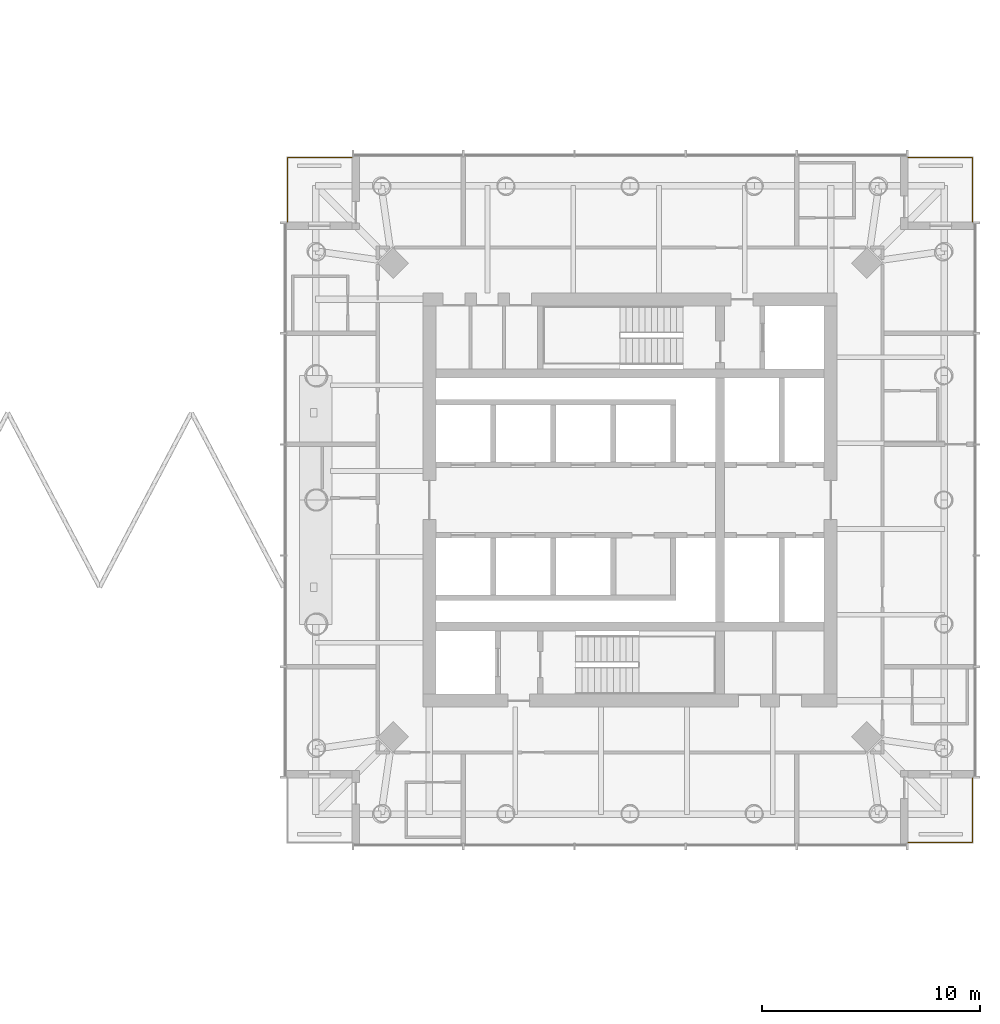
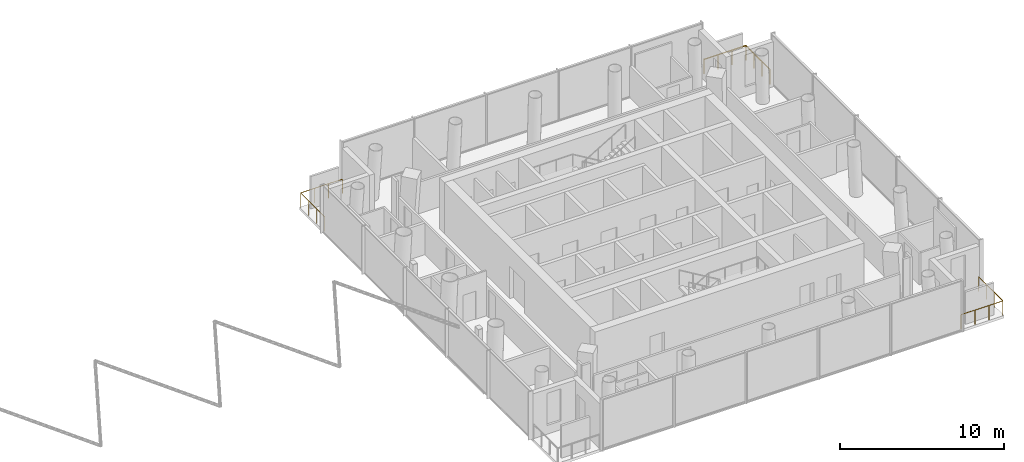
# One storey, part 19 of 19: 3 railings.
"""IFC4 building model written with IfcOpenShell, lengths in metres."""

from ifc_helpers import new_model, si_unit, direction, frame, origin, origin_2d, place, context, subcontext, project, spatial, circle, extrude, material, type_object, element, save


model = new_model("IFC4")

# Units and contexts
model_context = context("Model", 3, precision=1e-05, world=origin(), true_north=direction((0.0, 1.0)))
body_context = subcontext(model_context, "Body", "Model", "MODEL_VIEW")
ifc_project = project(units=[si_unit("LENGTHUNIT", "METRE"), si_unit("AREAUNIT", "SQUARE_METRE"), si_unit("VOLUMEUNIT", "CUBIC_METRE"), si_unit("PLANEANGLEUNIT", "RADIAN"), si_unit("MASSUNIT", "GRAM", prefix="KILO")], contexts=[model_context])

# Site, building, storey
site_placement = place(None, origin())
site = spatial("IfcSite", under=ifc_project, at=site_placement, CompositionType="ELEMENT")
building_placement = place(site_placement, origin())
building = spatial("IfcBuilding", under=site, at=building_placement, Name="Ostroluk Exchange", CompositionType="ELEMENT")
storey_placement = place(building_placement, frame((0.0, 0.0, 127.39990234375)))
storey = spatial("IfcBuildingStorey", under=building, at=storey_placement, Name="L32", CompositionType="ELEMENT", Elevation=127.39990234375)

# Railings
ifc_material = material(Name="Stainless steel", Category="steel")
railing_type = type_object("IfcRailingType", Name="Guard 1100 stainless steel", PredefinedType="GUARDRAIL", material=ifc_material)
railing_1_placement = place(storey_placement, frame((129.75, 30.300048828125, 0.0)))
element("IfcRailing", 1, at=railing_1_placement, inside=storey, type_object=railing_type, Name="Hotel tower SE balcony guard L32", PredefinedType="GUARDRAIL", context=body_context, shape_type="SweptSolid", body=[
    extrude(circle(Radius=0.02392578125, at=origin_2d()), frame((0.0, 0.0, 1.076171875), z_axis=(1.0, 0.0, 0.0), x_axis=(0.0, 1.0, 0.0)), (0.0, 0.0, 1.0), 2.949951171875),
    extrude(circle(Radius=0.02392578125, at=origin_2d()), frame((2.949951171875, 0.0, 1.076171875), z_axis=(0.0, 1.0, 0.0), x_axis=(-1.0, 0.0, 0.0)), (0.0, 0.0, 1.0), 2.949951171875),
    extrude(circle(Radius=0.02099609375, at=origin_2d()), origin(), (0.0, 0.0, 1.0), 1.052001953125),
    extrude(circle(Radius=0.02099609375, at=origin_2d()), frame((0.9833984375, 0.0, 0.0)), (0.0, 0.0, 1.0), 1.052001953125),
    extrude(circle(Radius=0.02099609375, at=origin_2d()), frame((1.966552734375, 0.0, 0.0)), (0.0, 0.0, 1.0), 1.052001953125),
    extrude(circle(Radius=0.02099609375, at=origin_2d()), frame((2.949951171875, 0.0, 0.0)), (0.0, 0.0, 1.0), 1.052001953125),
    extrude(circle(Radius=0.02099609375, at=origin_2d()), frame((2.949951171875, 0.9833984375, 0.0)), (0.0, 0.0, 1.0), 1.052001953125),
    extrude(circle(Radius=0.02099609375, at=origin_2d()), frame((2.949951171875, 1.966552734375, 0.0)), (0.0, 0.0, 1.0), 1.052001953125),
    extrude(circle(Radius=0.02099609375, at=origin_2d()), frame((2.949951171875, 2.949951171875, 0.0)), (0.0, 0.0, 1.0), 1.052001953125),
])
railing_2_placement = place(storey_placement, frame((129.75, 61.699951171875, 0.0)))
element("IfcRailing", 2, at=railing_2_placement, inside=storey, type_object=railing_type, Name="Hotel tower NE balcony guard L32", PredefinedType="GUARDRAIL", context=body_context, shape_type="SweptSolid", body=[
    extrude(circle(Radius=0.02392578125, at=origin_2d()), frame((0.0, 0.0, 1.076171875), z_axis=(1.0, 0.0, 0.0), x_axis=(0.0, 1.0, 0.0)), (0.0, 0.0, 1.0), 2.949951171875),
    extrude(circle(Radius=0.02392578125, at=origin_2d()), frame((2.949951171875, 0.0, 1.076171875), z_axis=(0.0, -1.0, 0.0), x_axis=(1.0, 0.0, 0.0)), (0.0, 0.0, 1.0), 2.949951171875),
    extrude(circle(Radius=0.02099609375, at=origin_2d()), origin(), (0.0, 0.0, 1.0), 1.052001953125),
    extrude(circle(Radius=0.02099609375, at=origin_2d()), frame((0.9833984375, 0.0, 0.0)), (0.0, 0.0, 1.0), 1.052001953125),
    extrude(circle(Radius=0.02099609375, at=origin_2d()), frame((1.966552734375, 0.0, 0.0)), (0.0, 0.0, 1.0), 1.052001953125),
    extrude(circle(Radius=0.02099609375, at=origin_2d()), frame((2.949951171875, 0.0, 0.0)), (0.0, 0.0, 1.0), 1.052001953125),
    extrude(circle(Radius=0.02099609375, at=origin_2d()), frame((2.949951171875, -0.9833984375, 0.0)), (0.0, 0.0, 1.0), 1.052001953125),
    extrude(circle(Radius=0.02099609375, at=origin_2d()), frame((2.949951171875, -1.966552734375, 0.0)), (0.0, 0.0, 1.0), 1.052001953125),
    extrude(circle(Radius=0.02099609375, at=origin_2d()), frame((2.949951171875, -2.949951171875, 0.0)), (0.0, 0.0, 1.0), 1.052001953125),
])
railing_3_placement = place(storey_placement, frame((104.25, 61.699951171875, 0.0)))
element("IfcRailing", 3, at=railing_3_placement, inside=storey, type_object=railing_type, Name="Hotel tower NW balcony guard L32", PredefinedType="GUARDRAIL", context=body_context, shape_type="SweptSolid", body=[
    extrude(circle(Radius=0.02392578125, at=origin_2d()), frame((0.0, 0.0, 1.076171875), z_axis=(-1.0, 0.0, 0.0), x_axis=(0.0, -1.0, 0.0)), (0.0, 0.0, 1.0), 2.949951171875),
    extrude(circle(Radius=0.02392578125, at=origin_2d()), frame((-2.949951171875, 0.0, 1.076171875), z_axis=(0.0, -1.0, 0.0), x_axis=(1.0, 0.0, 0.0)), (0.0, 0.0, 1.0), 2.949951171875),
    extrude(circle(Radius=0.02099609375, at=origin_2d()), origin(), (0.0, 0.0, 1.0), 1.052001953125),
    extrude(circle(Radius=0.02099609375, at=origin_2d()), frame((-0.9833984375, 0.0, 0.0)), (0.0, 0.0, 1.0), 1.052001953125),
    extrude(circle(Radius=0.02099609375, at=origin_2d()), frame((-1.966552734375, 0.0, 0.0)), (0.0, 0.0, 1.0), 1.052001953125),
    extrude(circle(Radius=0.02099609375, at=origin_2d()), frame((-2.949951171875, 0.0, 0.0)), (0.0, 0.0, 1.0), 1.052001953125),
    extrude(circle(Radius=0.02099609375, at=origin_2d()), frame((-2.949951171875, -0.9833984375, 0.0)), (0.0, 0.0, 1.0), 1.052001953125),
    extrude(circle(Radius=0.02099609375, at=origin_2d()), frame((-2.949951171875, -1.966552734375, 0.0)), (0.0, 0.0, 1.0), 1.052001953125),
    extrude(circle(Radius=0.02099609375, at=origin_2d()), frame((-2.949951171875, -2.949951171875, 0.0)), (0.0, 0.0, 1.0), 1.052001953125),
])

save(model, "model.ifc")
